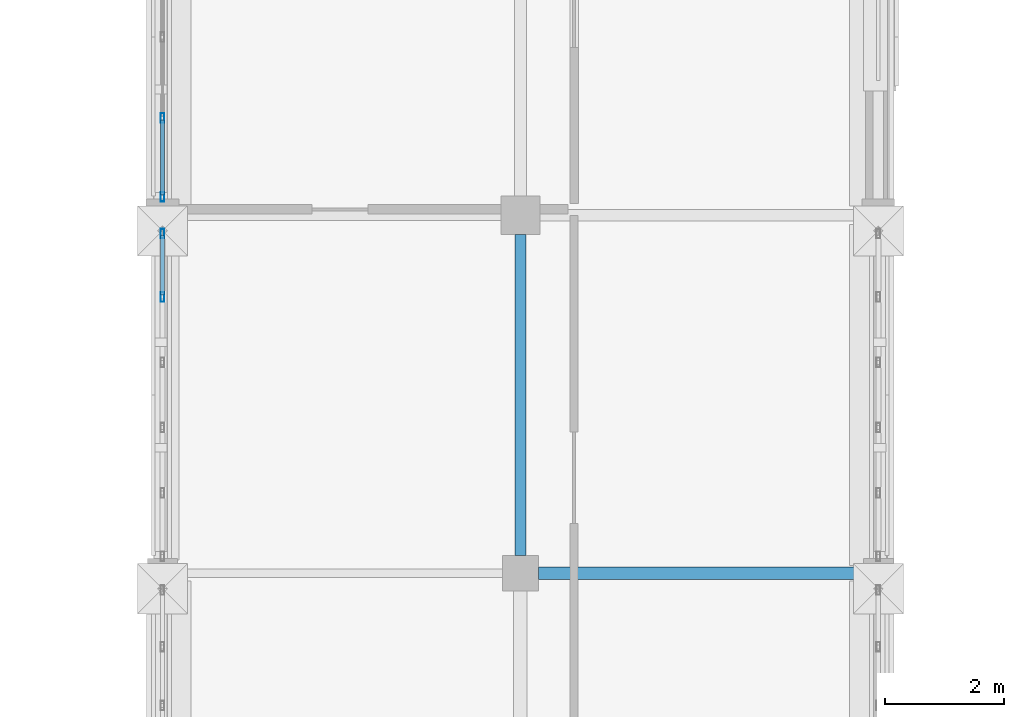
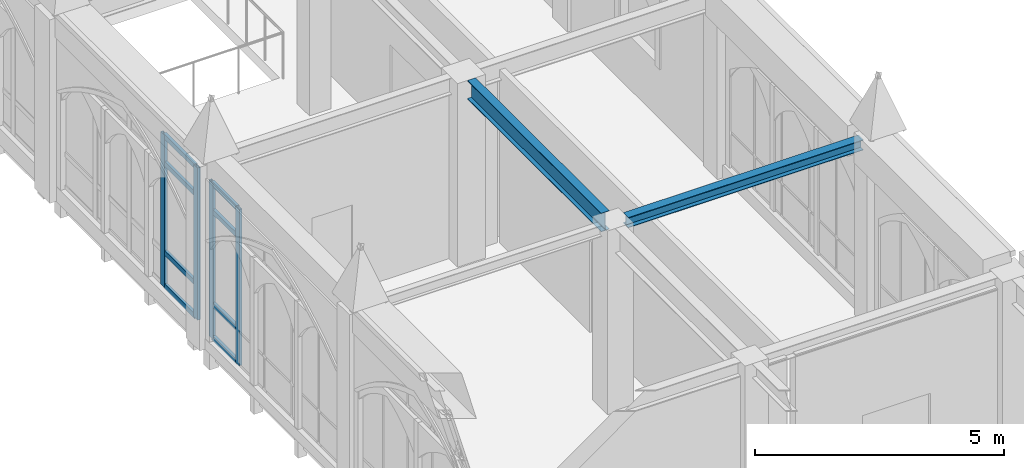
# One storey, part 15 of 143: 12 members, 2 beams, 2 elements without a shape of their own.
"""IFC4 building model written with IfcOpenShell, lengths in metres."""

from ifc_helpers import new_model, si_unit, direction, frame, origin, origin_2d, place, context, subcontext, project, spatial, hollow_rectangle, i_section, extrude, material, layer, layer_set, material_profile, profile_set, type_object, element, aggregate, save


model = new_model("IFC4")

# Units and contexts
model_context = context("Model", 3, precision=1e-05, world=origin(), true_north=direction((0.0, 1.0)))
body_context = subcontext(model_context, "Body", "Model", "MODEL_VIEW")
ifc_project = project(units=[si_unit("LENGTHUNIT", "METRE"), si_unit("AREAUNIT", "SQUARE_METRE"), si_unit("VOLUMEUNIT", "CUBIC_METRE"), si_unit("PLANEANGLEUNIT", "RADIAN"), si_unit("MASSUNIT", "GRAM", prefix="KILO")], contexts=[model_context])

# Site, building, storey
site_placement = place(None, origin())
site = spatial("IfcSite", under=ifc_project, at=site_placement, CompositionType="ELEMENT")
building_placement = place(site_placement, origin())
building = spatial("IfcBuilding", under=site, at=building_placement, Name="Cumevento Cable Car Station", CompositionType="ELEMENT")
storey_placement = place(building_placement, frame((0.0, 0.0, 9.0)))
storey = spatial("IfcBuildingStorey", under=building, at=storey_placement, Name="L03", CompositionType="ELEMENT", Elevation=9.0)

# Curtain wall, members
ifc_material_1 = material(Name="Anodised Bronze Aluminium AW-6063-T6", Category="aluminium")
ifc_layer_1 = layer(ifc_material_1, 0.172119140625)
ifc_layer_set_1 = layer_set([ifc_layer_1], Name="Anodised Bronze Aluminium AW-6063-T6")
curtain_wall_type_1 = type_object("IfcCurtainWallType", Name="Lancet Curtain Wall CW-03 1130", PredefinedType="NOTDEFINED", material=ifc_layer_set_1)
curtain_wall_1_placement = place(storey_placement, origin())
curtain_wall_1 = element("IfcCurtainWall", 1, at=curtain_wall_1_placement, inside=storey, type_object=curtain_wall_type_1, Name="Lancet Curtain Wall CW-03 L03 #82", PredefinedType="NOTDEFINED")
ifc_material_2 = material(Name="Anodised Bronze Aluminium AW-6063-T6", Category="aluminium")
ifc_material_profile_1 = material_profile(ifc_material_2, hollow_rectangle(XDim=0.06494140625, YDim=0.159912109375, WallThickness=0.00390625, at=origin_2d()), Name="ALUM65x160x4")
ifc_profile_set_1 = profile_set([ifc_material_profile_1], Name="Anodised Bronze Aluminium AW-6063-T6")
member_type_1 = type_object("IfcMemberType", Name="Curtain Mullion CWM-01 ALUM65x160x4", PredefinedType="MULLION", material=ifc_profile_set_1)
member_1_placement = place(storey_placement, frame((58.0, 19.6298828125, 0.260009765625), z_axis=(0.0, 0.0, 1.0), x_axis=(-1.0, 0.0, 0.0)))
member_1 = element("IfcMember", 2, at=member_1_placement, type_object=member_type_1, Name="CW-03 mullion 5", PredefinedType="MULLION", context=body_context, shape_type="SweptSolid", body=[
    extrude(hollow_rectangle(XDim=0.06494140625, YDim=0.159912109375, WallThickness=0.00390625, at=origin_2d()), origin(), (0.0, 0.0, 1.0), 3.8330078125),
])
member_2_placement = place(storey_placement, frame((58.0, 20.6923828125, 0.260009765625), z_axis=(0.0, 0.0, 1.0), x_axis=(-1.0, 0.0, 0.0)))
member_2 = element("IfcMember", 3, at=member_2_placement, type_object=member_type_1, Name="CW-03 mullion 6", PredefinedType="MULLION", context=body_context, shape_type="SweptSolid", body=[
    extrude(hollow_rectangle(XDim=0.06494140625, YDim=0.159912109375, WallThickness=0.00390625, at=origin_2d()), origin(), (0.0, 0.0, 1.0), 3.8330078125),
])

ifc_material_3 = material(Name="Anodised Bronze Aluminium AW-6063-T6", Category="aluminium")
ifc_layer_2 = layer(ifc_material_3, 0.18408203125)
ifc_layer_set_2 = layer_set([ifc_layer_2], Name="Anodised Bronze Aluminium AW-6063-T6")
curtain_wall_type_2 = type_object("IfcCurtainWallType", Name="Lancet Curtain Wall CW-05 1210", PredefinedType="NOTDEFINED", material=ifc_layer_set_2)
curtain_wall_2_placement = place(storey_placement, origin())
curtain_wall_2 = element("IfcCurtainWall", 4, at=curtain_wall_2_placement, inside=storey, type_object=curtain_wall_type_2, Name="Lancet Curtain Wall CW-05 L03 #84", PredefinedType="NOTDEFINED")
member_3_placement = place(storey_placement, frame((58.0, 21.3076171875, 0.360107421875), z_axis=(0.0, 0.0, 1.0), x_axis=(-1.0, 0.0, 0.0)))
member_3 = element("IfcMember", 5, at=member_3_placement, type_object=member_type_1, Name="CW-05 mullion 1", PredefinedType="MULLION", context=body_context, shape_type="SweptSolid", body=[
    extrude(hollow_rectangle(XDim=0.06494140625, YDim=0.159912109375, WallThickness=0.00390625, at=origin_2d()), origin(), (0.0, 0.0, 1.0), 3.73291015625),
])
member_4_placement = place(storey_placement, frame((58.0, 22.63134765625, 0.360107421875), z_axis=(0.0, 0.0, 1.0), x_axis=(-1.0, 0.0, 0.0)))
member_4 = element("IfcMember", 6, at=member_4_placement, type_object=member_type_1, Name="CW-05 mullion 2", PredefinedType="MULLION", context=body_context, shape_type="SweptSolid", body=[
    extrude(hollow_rectangle(XDim=0.06494140625, YDim=0.159912109375, WallThickness=0.00390625, at=origin_2d()), origin(), (0.0, 0.0, 1.0), 3.73291015625),
])

# Member
ifc_material_4 = material(Name="Anodised Bronze Aluminium AW-6063-T6", Category="aluminium")
ifc_material_profile_2 = material_profile(ifc_material_4, hollow_rectangle(XDim=0.06494140625, YDim=0.1201171875, WallThickness=0.00390625, at=origin_2d()), Name="ALUT65x120x4")
ifc_profile_set_2 = profile_set([ifc_material_profile_2], Name="Anodised Bronze Aluminium AW-6063-T6")
member_type_2 = type_object("IfcMemberType", Name="Curtain Transom CWT-01 ALUT65x120x4", PredefinedType="USERDEFINED", material=ifc_profile_set_2)
member_5_placement = place(storey_placement, frame((58.0, 19.66259765625, 0.29248046875), z_axis=(0.0, 1.0, 0.0), x_axis=(-1.0, 0.0, 0.0)))
member_5 = element("IfcMember", 7, at=member_5_placement, type_object=member_type_2, Name="CW-03 transom 5.1", ObjectType="TRANSOM", PredefinedType="USERDEFINED", context=body_context, shape_type="SweptSolid", body=[
    extrude(hollow_rectangle(XDim=0.06494140625, YDim=0.1201171875, WallThickness=0.00390625, at=origin_2d()), origin(), (0.0, 0.0, 1.0), 0.997314453125),
])

member_6_placement = place(storey_placement, frame((58.0, 19.66259765625, 1.110107421875), z_axis=(0.0, 1.0, 0.0), x_axis=(-1.0, 0.0, 0.0)))
member_6 = element("IfcMember", 8, at=member_6_placement, type_object=member_type_2, Name="CW-03 transom 5.2", ObjectType="TRANSOM", PredefinedType="USERDEFINED", context=body_context, shape_type="SweptSolid", body=[
    extrude(hollow_rectangle(XDim=0.06494140625, YDim=0.1201171875, WallThickness=0.00390625, at=origin_2d()), origin(), (0.0, 0.0, 1.0), 0.997314453125),
])

member_7_placement = place(storey_placement, frame((58.0, 19.66259765625, 3.39306640625), z_axis=(0.0, 1.0, 0.0), x_axis=(-1.0, 0.0, 0.0)))
member_7 = element("IfcMember", 9, at=member_7_placement, type_object=member_type_2, Name="CW-03 transom 5.3", ObjectType="TRANSOM", PredefinedType="USERDEFINED", context=body_context, shape_type="SweptSolid", body=[
    extrude(hollow_rectangle(XDim=0.06494140625, YDim=0.1201171875, WallThickness=0.00390625, at=origin_2d()), origin(), (0.0, 0.0, 1.0), 0.997314453125),
])

member_8_placement = place(storey_placement, frame((58.0, 19.66259765625, 4.060546875), z_axis=(0.0, 1.0, 0.0), x_axis=(-1.0, 0.0, 0.0)))
member_8 = element("IfcMember", 10, at=member_8_placement, type_object=member_type_2, Name="CW-03 transom 5.4", ObjectType="TRANSOM", PredefinedType="USERDEFINED", context=body_context, shape_type="SweptSolid", body=[
    extrude(hollow_rectangle(XDim=0.06494140625, YDim=0.1201171875, WallThickness=0.00390625, at=origin_2d()), origin(), (0.0, 0.0, 1.0), 0.997314453125),
])

aggregate(curtain_wall_1, [member_1, member_2, member_5, member_6, member_7, member_8])

member_9_placement = place(storey_placement, frame((58.0, 21.340087890625, 0.392578125), z_axis=(0.0, 1.0, 0.0), x_axis=(-1.0, 0.0, 0.0)))
member_9 = element("IfcMember", 11, at=member_9_placement, type_object=member_type_2, Name="CW-05 transom 1.1", ObjectType="TRANSOM", PredefinedType="USERDEFINED", context=body_context, shape_type="SweptSolid", body=[
    extrude(hollow_rectangle(XDim=0.06494140625, YDim=0.1201171875, WallThickness=0.00390625, at=origin_2d()), origin(), (0.0, 0.0, 1.0), 1.258544921875),
])

member_10_placement = place(storey_placement, frame((58.0, 21.340087890625, 1.2099609375), z_axis=(0.0, 1.0, 0.0), x_axis=(-1.0, 0.0, 0.0)))
member_10 = element("IfcMember", 12, at=member_10_placement, type_object=member_type_2, Name="CW-05 transom 1.2", ObjectType="TRANSOM", PredefinedType="USERDEFINED", context=body_context, shape_type="SweptSolid", body=[
    extrude(hollow_rectangle(XDim=0.06494140625, YDim=0.1201171875, WallThickness=0.00390625, at=origin_2d()), origin(), (0.0, 0.0, 1.0), 1.258544921875),
])

member_11_placement = place(storey_placement, frame((58.0, 21.340087890625, 3.39306640625), z_axis=(0.0, 1.0, 0.0), x_axis=(-1.0, 0.0, 0.0)))
member_11 = element("IfcMember", 13, at=member_11_placement, type_object=member_type_2, Name="CW-05 transom 1.3", ObjectType="TRANSOM", PredefinedType="USERDEFINED", context=body_context, shape_type="SweptSolid", body=[
    extrude(hollow_rectangle(XDim=0.06494140625, YDim=0.1201171875, WallThickness=0.00390625, at=origin_2d()), origin(), (0.0, 0.0, 1.0), 1.258544921875),
])

member_12_placement = place(storey_placement, frame((58.0, 21.340087890625, 4.060546875), z_axis=(0.0, 1.0, 0.0), x_axis=(-1.0, 0.0, 0.0)))
member_12 = element("IfcMember", 14, at=member_12_placement, type_object=member_type_2, Name="CW-05 transom 1.4", ObjectType="TRANSOM", PredefinedType="USERDEFINED", context=body_context, shape_type="SweptSolid", body=[
    extrude(hollow_rectangle(XDim=0.06494140625, YDim=0.1201171875, WallThickness=0.00390625, at=origin_2d()), origin(), (0.0, 0.0, 1.0), 1.258544921875),
])

aggregate(curtain_wall_2, [member_3, member_4, member_9, member_10, member_11, member_12])

# Beams
ifc_material_5 = material(Name="Steel ASTM A572 Grade 50", Category="steel")
ifc_material_profile_3 = material_profile(ifc_material_5, i_section(OverallWidth=0.18994140625, OverallDepth=0.45703125, WebThickness=0.009033203125, FlangeThickness=0.014404296875, at=origin_2d()), Name="W460x74.0")
ifc_profile_set_3 = profile_set([ifc_material_profile_3], Name="Steel ASTM A572 Grade 50")
beam_type_1 = type_object("IfcBeamType", Name="Structural Beam BM-04 W460x74.0", PredefinedType="BEAM", material=ifc_profile_set_3)
beam_1_placement = place(storey_placement, frame((64.0, 15.300048828125, 4.271484375), z_axis=(0.0, 1.0, 0.0), x_axis=(-1.0, 0.0, 0.0)))
element("IfcBeam", 15, at=beam_1_placement, inside=storey, type_object=beam_type_1, Name="Beam BM-04 L03 #980", PredefinedType="BEAM", context=body_context, shape_type="SweptSolid", body=[
    extrude(i_section(OverallWidth=0.18994140625, OverallDepth=0.45703125, WebThickness=0.009033203125, FlangeThickness=0.014404296875, at=origin_2d()), origin(), (0.0, 0.0, 1.0), 5.375),
])
ifc_material_6 = material(Name="Steel ASTM A572 Grade 50", Category="steel")
ifc_material_profile_4 = material_profile(ifc_material_6, i_section(OverallWidth=0.202880859375, OverallDepth=0.251953125, WebThickness=0.008056640625, FlangeThickness=0.013427734375, at=origin_2d()), Name="W250x58.0")
ifc_profile_set_4 = profile_set([ifc_material_profile_4], Name="Steel ASTM A572 Grade 50")
beam_type_2 = type_object("IfcBeamType", Name="Structural Beam BM-08 W250x58.0", PredefinedType="BEAM", material=ifc_profile_set_4)
beam_2_placement = place(storey_placement, frame((64.300048828125, 15.0, 4.3740234375), z_axis=(1.0, 0.0, 0.0), x_axis=(0.0, 1.0, 0.0)))
element("IfcBeam", 16, at=beam_2_placement, inside=storey, type_object=beam_type_2, Name="Beam BM-08 L03 #965", PredefinedType="BEAM", context=body_context, shape_type="SweptSolid", body=[
    extrude(i_section(OverallWidth=0.202880859375, OverallDepth=0.251953125, WebThickness=0.008056640625, FlangeThickness=0.013427734375, at=origin_2d()), origin(), (0.0, 0.0, 1.0), 5.449951171875),
])

save(model, "model.ifc")
